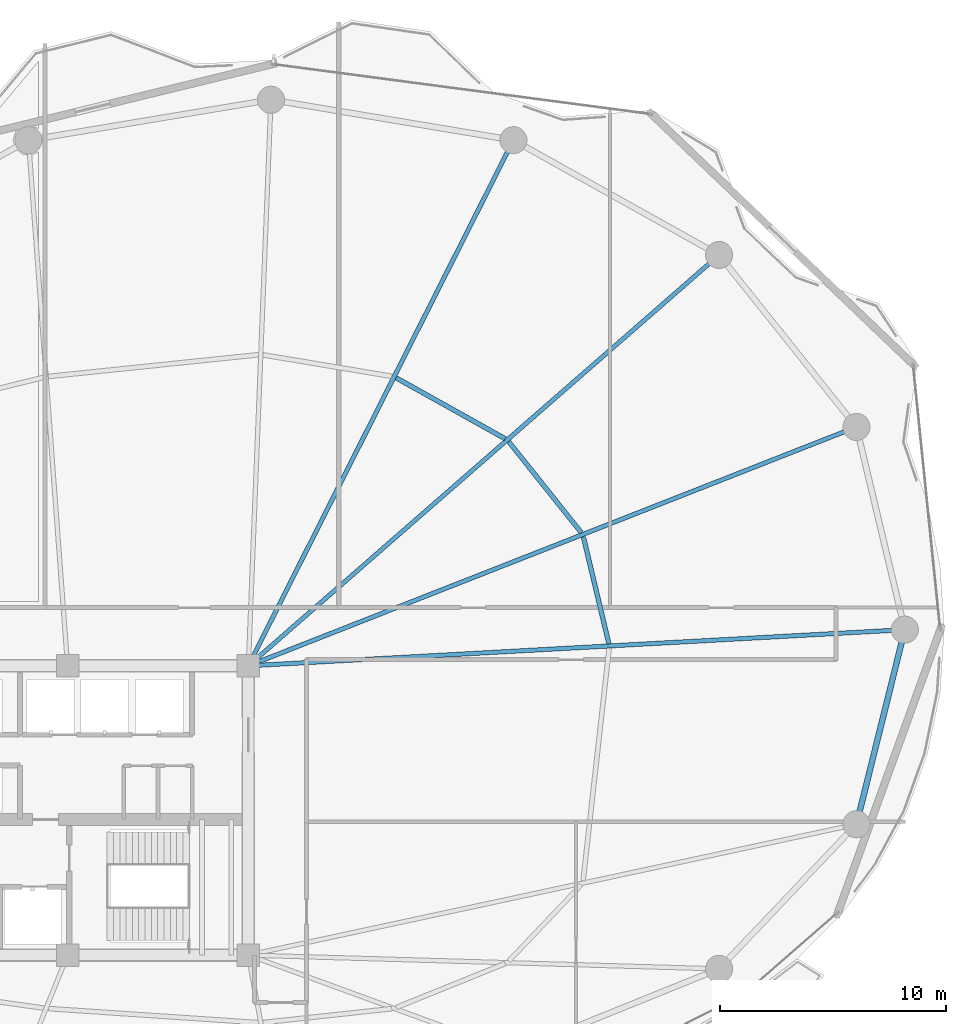
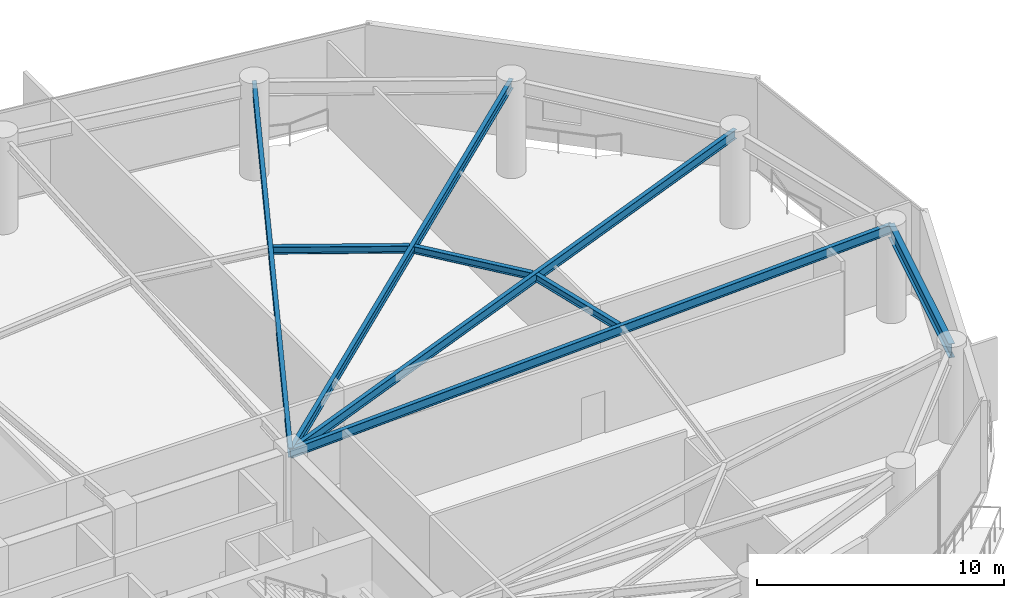
# One storey, part 14 of 30: 8 beams.
"""IFC4 building model written with IfcOpenShell, lengths in metres."""

from ifc_helpers import new_model, si_unit, direction, frame, origin, origin_2d, place, context, subcontext, project, spatial, i_section, extrude, material, material_profile, profile_set, type_object, element, save


model = new_model("IFC4")

# Units and contexts
model_context = context("Model", 3, precision=1e-05, world=origin(), true_north=direction((0.0, 1.0)))
body_context = subcontext(model_context, "Body", "Model", "MODEL_VIEW")
ifc_project = project(units=[si_unit("LENGTHUNIT", "METRE"), si_unit("AREAUNIT", "SQUARE_METRE"), si_unit("VOLUMEUNIT", "CUBIC_METRE"), si_unit("PLANEANGLEUNIT", "RADIAN"), si_unit("MASSUNIT", "GRAM", prefix="KILO")], contexts=[model_context])

# Site, building, storey
site_placement = place(None, origin())
site = spatial("IfcSite", under=ifc_project, at=site_placement, CompositionType="ELEMENT")
building_placement = place(site_placement, origin())
building = spatial("IfcBuilding", under=site, at=building_placement, Name="Kazevale Care Tower and Concert Hall", CompositionType="ELEMENT")
storey_placement = place(building_placement, frame((0.0, 0.0, 97.800048828125)))
storey = spatial("IfcBuildingStorey", under=building, at=storey_placement, Name="L25", CompositionType="ELEMENT", Elevation=97.800048828125)

# Beams
ifc_material = material(Name="Steel ASTM A572 Gr 50", Category="steel")
ifc_material_profile_1 = material_profile(ifc_material, i_section(OverallWidth=0.19091796875, OverallDepth=0.4599609375, WebThickness=0.010009765625, FlangeThickness=0.01611328125, at=origin_2d()), Name="W460x82")
ifc_profile_set_1 = profile_set([ifc_material_profile_1], Name="Steel ASTM A572 Gr 50")
beam_type_1 = type_object("IfcBeamType", Name="Radial Floor Beam W460x82", PredefinedType="BEAM", material=ifc_profile_set_1)
beam_1_placement = place(storey_placement, frame((44.0, 36.39990234375, 4.329833984375), z_axis=(0.998486500016, 0.054997357076, 0.0), x_axis=(-0.054997357076, 0.998486500016, 0.0)))
element("IfcBeam", 1, at=beam_1_placement, inside=storey, type_object=beam_type_1, Name="beam:L25:rad:01", PredefinedType="BEAM", context=body_context, shape_type="SweptSolid", body=[
    extrude(i_section(OverallWidth=0.19091796875, OverallDepth=0.4599609375, WebThickness=0.010009765625, FlangeThickness=0.01611328125, at=origin_2d()), origin(), (0.0, 0.0, 1.0), 29.093994140625),
])
beam_2_placement = place(storey_placement, frame((44.0, 36.39990234375, 4.329833984375), z_axis=(0.930771301513, 0.36560194786, 0.0), x_axis=(-0.36560194786, 0.930771301513, 0.0)))
element("IfcBeam", 2, at=beam_2_placement, inside=storey, type_object=beam_type_1, Name="beam:L25:rad:02", PredefinedType="BEAM", context=body_context, shape_type="SweptSolid", body=[
    extrude(i_section(OverallWidth=0.19091796875, OverallDepth=0.4599609375, WebThickness=0.010009765625, FlangeThickness=0.01611328125, at=origin_2d()), origin(), (0.0, 0.0, 1.0), 28.911376953125),
])
beam_3_placement = place(storey_placement, frame((44.0, 36.39990234375, 4.329833984375), z_axis=(0.753403181998, 0.657558853149, 0.0), x_axis=(-0.657558853149, 0.753403181998, 0.0)))
element("IfcBeam", 3, at=beam_3_placement, inside=storey, type_object=beam_type_1, Name="beam:L25:rad:03", PredefinedType="BEAM", context=body_context, shape_type="SweptSolid", body=[
    extrude(i_section(OverallWidth=0.19091796875, OverallDepth=0.4599609375, WebThickness=0.010009765625, FlangeThickness=0.01611328125, at=origin_2d()), origin(), (0.0, 0.0, 1.0), 27.64794921875),
])
beam_4_placement = place(storey_placement, frame((44.0, 36.39990234375, 4.329833984375), z_axis=(0.450281187568, 0.892886808124, 0.0), x_axis=(-0.892886808124, 0.450281187568, 0.0)))
element("IfcBeam", 4, at=beam_4_placement, inside=storey, type_object=beam_type_1, Name="beam:L25:rad:04", PredefinedType="BEAM", context=body_context, shape_type="SweptSolid", body=[
    extrude(i_section(OverallWidth=0.19091796875, OverallDepth=0.4599609375, WebThickness=0.010009765625, FlangeThickness=0.01611328125, at=origin_2d()), origin(), (0.0, 0.0, 1.0), 26.05029296875),
])
ifc_material_profile_2 = material_profile(ifc_material, i_section(OverallWidth=0.205078125, OverallDepth=0.35400390625, WebThickness=0.009521484375, FlangeThickness=0.016845703125, at=origin_2d()), Name="W360x79")
ifc_profile_set_2 = profile_set([ifc_material_profile_2], Name="Steel ASTM A572 Gr 50")
beam_type_2 = type_object("IfcBeamType", Name="Secondary Floor Joist W360x79", PredefinedType="JOIST", material=ifc_profile_set_2)
beam_5_placement = place(storey_placement, frame((59.952880859375, 37.382080078125, 4.383056640625), z_axis=(-0.232005223279, 0.972714540023, 0.0), x_axis=(-0.972714540023, -0.232005223279, 0.0)))
element("IfcBeam", 5, at=beam_5_placement, inside=storey, type_object=beam_type_2, Name="beam:L25:joist:01", PredefinedType="JOIST", context=body_context, shape_type="SweptSolid", body=[
    extrude(i_section(OverallWidth=0.205078125, OverallDepth=0.35400390625, WebThickness=0.009521484375, FlangeThickness=0.016845703125, at=origin_2d()), origin(), (0.0, 0.0, 1.0), 4.861572265625),
])
beam_6_placement = place(storey_placement, frame((58.735107421875, 42.2958984375, 4.383056640625), z_axis=(-0.624261115922, 0.781215757104, 0.0), x_axis=(-0.781215757104, -0.624261115922, 0.0)))
element("IfcBeam", 6, at=beam_6_placement, inside=storey, type_object=beam_type_2, Name="beam:L25:joist:02", PredefinedType="JOIST", context=body_context, shape_type="SweptSolid", body=[
    extrude(i_section(OverallWidth=0.205078125, OverallDepth=0.35400390625, WebThickness=0.009521484375, FlangeThickness=0.016845703125, at=origin_2d()), origin(), (0.0, 0.0, 1.0), 5.147216796875),
])
beam_7_placement = place(storey_placement, frame((55.364990234375, 46.449951171875, 4.383056640625), z_axis=(-0.873137755824, 0.487473547338, 0.0), x_axis=(-0.487473547338, -0.873137755824, 0.0)))
element("IfcBeam", 7, at=beam_7_placement, inside=storey, type_object=beam_type_2, Name="beam:L25:joist:03", PredefinedType="JOIST", context=body_context, shape_type="SweptSolid", body=[
    extrude(i_section(OverallWidth=0.205078125, OverallDepth=0.35400390625, WebThickness=0.009521484375, FlangeThickness=0.016845703125, at=origin_2d()), origin(), (0.0, 0.0, 1.0), 5.522705078125),
])
ifc_material_profile_3 = material_profile(ifc_material, i_section(OverallWidth=0.256103515625, OverallDepth=0.693115234375, WebThickness=0.014404296875, FlangeThickness=0.023681640625, at=origin_2d()), Name="W690x170")
ifc_profile_set_3 = profile_set([ifc_material_profile_3], Name="Steel ASTM A572 Gr 50")
beam_type_3 = type_object("IfcBeamType", Name="Waist Ring Beam W690x170", PredefinedType="BEAM", material=ifc_profile_set_3)
beam_8_placement = place(storey_placement, frame((70.909912109375, 29.389892578125, 4.21337890625), z_axis=(0.241221022882, 0.970470204653, 0.0), x_axis=(-0.970470204653, 0.241221022882, 0.0)))
element("IfcBeam", 8, at=beam_8_placement, inside=storey, type_object=beam_type_3, Name="beam:L25:ring:16", PredefinedType="BEAM", context=body_context, shape_type="SweptSolid", body=[
    extrude(i_section(OverallWidth=0.256103515625, OverallDepth=0.693115234375, WebThickness=0.014404296875, FlangeThickness=0.023681640625, at=origin_2d()), origin(), (0.0, 0.0, 1.0), 8.8720703125),
])

save(model, "model.ifc")
